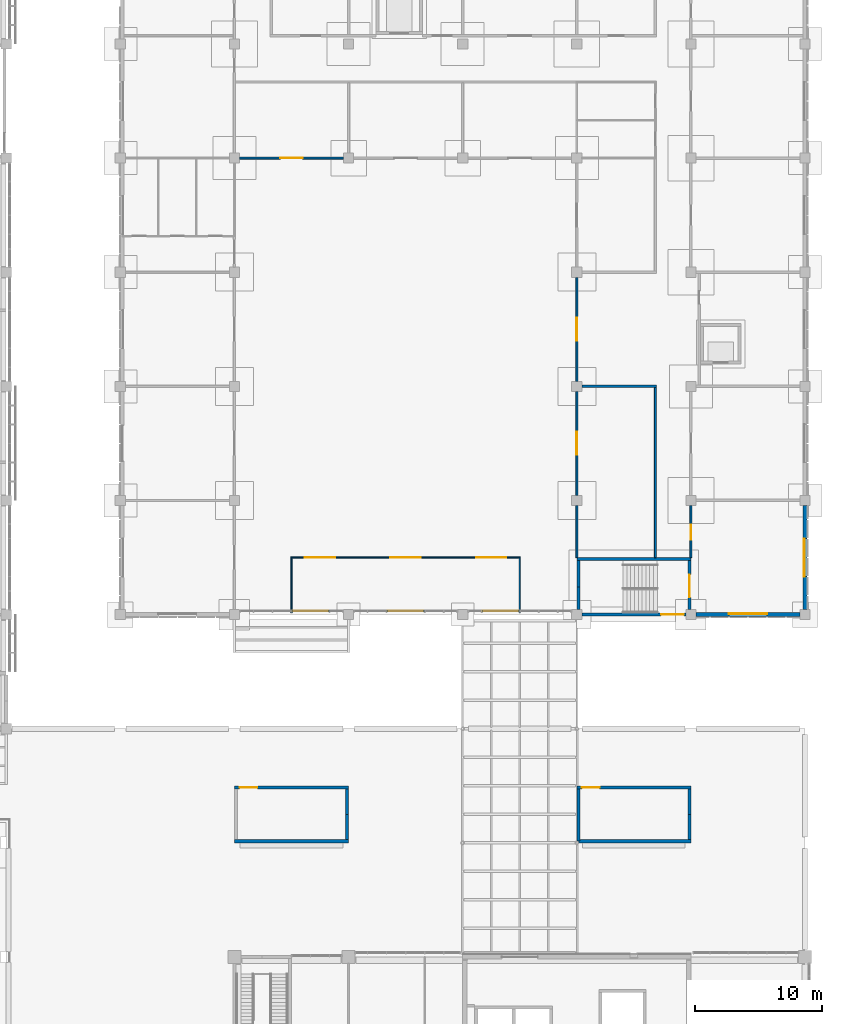
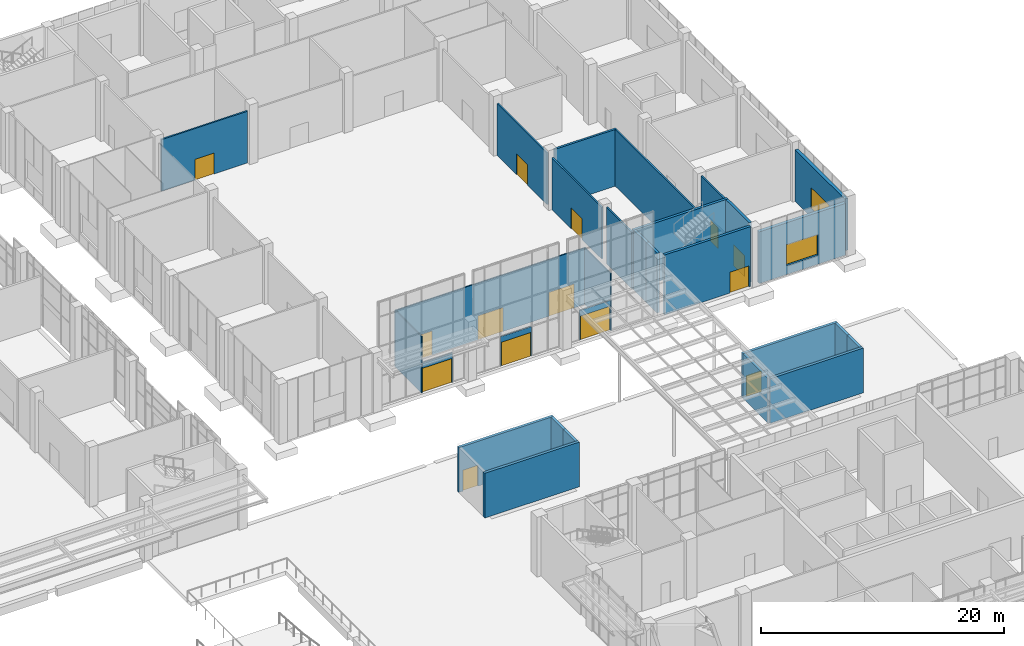
# One storey, part 62 of 86: 29 walls, 14 doors, 2 windows, 16 openings.
"""IFC4 building model written with IfcOpenShell, lengths in metres."""

import ifcopenshell
import ifcopenshell.guid

model = None  # the IFC model being written
_history = None  # IfcOwnerHistory: only IFC2X3 demands one
_inside = {}  # id of a spatial element -> (the spatial element, [elements in it])
_under = {}  # id of a project, library or spatial element -> (it, [spatial elements below it])
_declared = {}  # id of a project -> (the project, [libraries it declares])
_typed = {}  # id of a type object -> (the type object, [elements of that type])
_made_of = {}  # id of a material, layer set ... -> (it, [elements and type objects made of it])


def new_model(schema):
    """Start an empty IFC model of exactly this schema.

    Asked for "IFC4X3", IfcOpenShell would pick the latest addendum, in which some entities
    have other attributes; the version numbers below select the first issue.
    IFC2X3 requires an IfcOwnerHistory on every rooted entity: one is made here for all.
    """
    global model, _history
    if schema == "IFC4X3":
        model = ifcopenshell.file(schema_version=(4, 3, 0, 0))
    else:
        model = ifcopenshell.file(schema=schema)
    _inside.clear()
    _under.clear()
    _declared.clear()
    _typed.clear()
    _made_of.clear()
    _history = None
    if model.schema == "IFC2X3":
        org = make("IfcOrganization", Name="unknown")
        user = make(
            "IfcPersonAndOrganization",
            ThePerson=make("IfcPerson", FamilyName="unknown"),
            TheOrganization=org,
        )
        app = make(
            "IfcApplication",
            ApplicationDeveloper=org,
            Version="unknown",
            ApplicationFullName="unknown",
            ApplicationIdentifier="unknown",
        )
        _history = make(
            "IfcOwnerHistory",
            OwningUser=user,
            OwningApplication=app,
            ChangeAction="ADDED",
            CreationDate=0,
        )
    return model


def make(cls, **values):
    """One entity of the class cls with the attributes given. An attribute that is None is left unset."""
    return model.create_entity(
        cls, **{name: value for name, value in values.items() if value is not None}
    )


def rooted(cls, **values):
    """An entity with a GlobalId (a new one), such as an element, a storey or a relation."""
    return make(cls, GlobalId=ifcopenshell.guid.new(), OwnerHistory=_history, **values)


def si_unit(unit_type, name, prefix=None):
    """IfcSIUnit, for example si_unit("LENGTHUNIT", "METRE", prefix="MILLI")."""
    return make("IfcSIUnit", UnitType=unit_type, Prefix=prefix, Name=name)


def assignment(units):
    """IfcUnitAssignment: the units of a project."""
    return None if units is None else make("IfcUnitAssignment", Units=units)


def point(xyz):
    """IfcCartesianPoint."""
    return None if xyz is None else make("IfcCartesianPoint", Coordinates=xyz)


def direction(xyz):
    """IfcDirection."""
    return None if xyz is None else make("IfcDirection", DirectionRatios=xyz)


def frame(location, z_axis=None, x_axis=None):
    """IfcAxis2Placement3D, a coordinate frame: its origin and axes. An axis left out is left unset."""
    return make(
        "IfcAxis2Placement3D",
        Location=point(location),
        Axis=direction(z_axis),
        RefDirection=direction(x_axis),
    )


def frame_2d(location, x_axis=None):
    """IfcAxis2Placement2D, a coordinate frame in the plane: its origin and x axis."""
    return make(
        "IfcAxis2Placement2D", Location=point(location), RefDirection=direction(x_axis)
    )


def origin():
    """The frame at (0, 0, 0) with its axes left unset."""
    return frame((0.0, 0.0, 0.0))


def place(relative_to, where):
    """IfcLocalPlacement: puts the frame where relative to a parent placement (None: the world)."""
    return make(
        "IfcLocalPlacement", PlacementRelTo=relative_to, RelativePlacement=where
    )


def context(
    kind, dimensions, precision=None, world=None, true_north=None, identifier=None
):
    """IfcGeometricRepresentationContext, for example the 3D "Model" context."""
    return make(
        "IfcGeometricRepresentationContext",
        ContextIdentifier=identifier,
        ContextType=kind,
        CoordinateSpaceDimension=dimensions,
        Precision=precision,
        WorldCoordinateSystem=world,
        TrueNorth=true_north,
    )


def subcontext(parent, identifier, kind, view, scale=None):
    """IfcGeometricRepresentationSubContext, for example "Body" below "Model"."""
    return make(
        "IfcGeometricRepresentationSubContext",
        ContextIdentifier=identifier,
        ContextType=kind,
        ParentContext=parent,
        TargetScale=scale,
        TargetView=view,
    )


def project(units=None, contexts=None):
    """IfcProject with its units and contexts."""
    return rooted(
        "IfcProject",
        Name="project",
        RepresentationContexts=contexts,
        UnitsInContext=assignment(units),
    )


def spatial(cls, under=None, at=None, **own):
    """A site, building, storey or space (cls), placed at a placement, below another one or the project."""
    s = rooted(cls, ObjectPlacement=at, **own)
    if under is not None:
        _under.setdefault(under.id(), (under, []))[1].append(s)
    return s


def profile(cls, at=None, kind="AREA", **sizes):
    """A parametric profile (cls). Its sizes go by their IFC names, for example OverallWidth=200.0."""
    return make(cls, ProfileType=kind, Position=at, **sizes)


def rectangle(**sizes):
    """IfcRectangleProfileDef."""
    return profile("IfcRectangleProfileDef", **sizes)


def extrude(swept, where, along, depth):
    """IfcExtrudedAreaSolid: the profile swept, set in the frame where, extruded along a direction by depth."""
    return make(
        "IfcExtrudedAreaSolid",
        SweptArea=swept,
        Position=where,
        ExtrudedDirection=direction(along),
        Depth=depth,
    )


def shape(context_of_items, identifier, shape_type, items):
    """IfcShapeRepresentation: the items that make up one representation, for example the "Body"."""
    return make(
        "IfcShapeRepresentation",
        ContextOfItems=context_of_items,
        RepresentationIdentifier=identifier,
        RepresentationType=shape_type,
        Items=items,
    )


def material(Name=None, Category=None):
    """IfcMaterial."""
    return make("IfcMaterial", Name=Name, Category=Category)


def layer(
    of_material, thickness, ventilated=None, Name=None, Category=None, Priority=None
):
    """IfcMaterialLayer: one layer of a wall or slab, of a material (None: an air gap)."""
    return make(
        "IfcMaterialLayer",
        Material=of_material,
        LayerThickness=thickness,
        IsVentilated=ventilated,
        Name=Name,
        Category=Category,
        Priority=Priority,
    )


def layer_set(layers, Name=None):
    """IfcMaterialLayerSet."""
    return make("IfcMaterialLayerSet", MaterialLayers=layers, LayerSetName=Name)


def made_of(thing, what):
    """Note that an element or type object is made of a material, layer set ...; save() writes the relation."""
    if what is not None:
        _made_of.setdefault(what.id(), (what, []))[1].append(thing)
    return thing


def type_object(cls, material=None, **own):
    """A type object (cls), such as IfcWallType, which elements share."""
    return made_of(rooted(cls, **own), material)


def element(
    cls,
    number,
    at=None,
    inside=None,
    cuts=None,
    type_object=None,
    material=None,
    context=None,
    identifier="Body",
    shape_type=None,
    held_by="IfcProductDefinitionShape",
    body=None,
    shapes=None,
    **own,
):
    """One element of the class cls, such as IfcWall. Its Tag is "e" and its number.

    at: its placement. inside: the storey or other place that contains it. cuts: it is an
    opening in that element (IfcRelVoidsElement). A single representation is given by context,
    identifier, shape_type and body (its items); several are given by shapes. held_by: the class
    of the entity that holds the representations. save() writes the other relations.
    """
    e = rooted(cls, Tag="e%d" % number, ObjectPlacement=at, **own)
    if body is not None:
        shapes = [shape(context, identifier, shape_type, body)]
    if shapes is not None:
        e.Representation = make(held_by, Representations=shapes)
    if inside is not None:
        _inside.setdefault(inside.id(), (inside, []))[1].append(e)
    if cuts is not None:
        rooted(
            "IfcRelVoidsElement", RelatingBuildingElement=cuts, RelatedOpeningElement=e
        )
    if type_object is not None:
        _typed.setdefault(type_object.id(), (type_object, []))[1].append(e)
    return made_of(e, material)


def fill(opening, filler):
    """IfcRelFillsElement: the door or window that sits in an opening."""
    return rooted(
        "IfcRelFillsElement",
        RelatingOpeningElement=opening,
        RelatedBuildingElement=filler,
    )


def aggregate(whole, parts):
    """IfcRelAggregates: a whole, such as a stair, and the parts it consists of."""
    return rooted("IfcRelAggregates", RelatingObject=whole, RelatedObjects=parts)


def save(model, path):
    """Write the relations noted so far, then the file.

    IfcRelAggregates (storeys below a building ...), IfcRelContainedInSpatialStructure (elements
    in a storey), IfcRelDefinesByType, IfcRelAssociatesMaterial and IfcRelDeclares: one each for
    every whole, place, type object, material and project.
    """
    for whole, parts in _under.values():
        aggregate(whole, parts)
    for where, things in _inside.values():
        rooted(
            "IfcRelContainedInSpatialStructure",
            RelatedElements=things,
            RelatingStructure=where,
        )
    for kind, things in _typed.values():
        rooted("IfcRelDefinesByType", RelatedObjects=things, RelatingType=kind)
    for what, things in _made_of.values():
        rooted("IfcRelAssociatesMaterial", RelatedObjects=things, RelatingMaterial=what)
    for by, libraries in _declared.values():
        rooted("IfcRelDeclares", RelatingContext=by, RelatedDefinitions=libraries)
    model.write(path)


model = new_model("IFC4")

# Units and contexts
model_context = context("Model", 3, precision=1e-05, world=origin(), true_north=direction((0.0, 1.0)))
body_context = subcontext(model_context, "Body", "Model", "MODEL_VIEW")
ifc_project = project(units=[si_unit("LENGTHUNIT", "METRE"), si_unit("AREAUNIT", "SQUARE_METRE"), si_unit("VOLUMEUNIT", "CUBIC_METRE"), si_unit("PLANEANGLEUNIT", "RADIAN"), si_unit("MASSUNIT", "GRAM", prefix="KILO")], contexts=[model_context])

# Site, building, storey
site_placement = place(None, origin())
site = spatial("IfcSite", under=ifc_project, at=site_placement, CompositionType="ELEMENT")
building_placement = place(site_placement, origin())
building = spatial("IfcBuilding", under=site, at=building_placement, Name="Guidao Yard Department Store", CompositionType="ELEMENT")
storey_placement = place(building_placement, origin())
storey = spatial("IfcBuildingStorey", under=building, at=storey_placement, Name="L00", CompositionType="ELEMENT", Elevation=0.0)

# Wall
ifc_material_1 = material(Name="Concrete block MU10", Category="concrete")
ifc_layer_1 = layer(ifc_material_1, 0.199951171875)
ifc_layer_set_1 = layer_set([ifc_layer_1], Name="Fire Wall F3 200 mm blockwork EI 120")
wall_type_1 = type_object("IfcWallType", Name="Fire Wall F3 200 mm blockwork EI 120", PredefinedType="PARTITIONING", material=ifc_layer_set_1)
wall_1_placement = place(storey_placement, frame((153.39990234375, 72.0, 0.0), z_axis=(0.0, 0.0, 1.0), x_axis=(1.0, 0.0, 0.0)))
element("IfcWall", 1, at=wall_1_placement, inside=storey, type_object=wall_type_1, Name="Wall W-L00-3013", PredefinedType="PARTITIONING", context=body_context, shape_type="SweptSolid", body=[
    extrude(rectangle(XDim=5.875, YDim=0.199951171875, at=frame_2d((2.9375, 0.0))), origin(), (0.0, 0.0, 1.0), 5.699951171875),
])

# Wall, opening, window
ifc_material_2 = material(Name="Concrete C30", Category="concrete")
ifc_layer_2 = layer(ifc_material_2, 0.300048828125)
ifc_layer_set_2 = layer_set([ifc_layer_2], Name="Food hall wall 300 C30")
wall_type_2 = type_object("IfcWallType", Name="Food hall wall 300 C30", PredefinedType="SOLIDWALL", material=ifc_layer_set_2)
wall_2_placement = place(storey_placement, frame((170.60009765625, 54.0, 0.0), z_axis=(0.0, 0.0, 1.0), x_axis=(-1.0, 0.0, 0.0)))
wall_2 = element("IfcWall", 2, at=wall_2_placement, inside=storey, type_object=wall_type_2, Name="Food hall wall", PredefinedType="SOLIDWALL", context=body_context, shape_type="SweptSolid", body=[
    extrude(rectangle(XDim=8.2001953125, YDim=0.300048828125, at=frame_2d((4.10009765625, 0.0))), origin(), (0.0, 0.0, 1.0), 5.199951171875),
])
opening_1_placement = place(wall_2_placement, frame((2.60009765625, 0.0, 0.89990234375)))
opening_1 = element("IfcOpeningElement", 3, at=opening_1_placement, cuts=wall_2, Name="Opening WN-L00-E11", PredefinedType="OPENING", context=body_context, shape_type="SweptSolid", body=[
    extrude(rectangle(XDim=3.0, YDim=2.10009765625, at=frame_2d((1.5, 1.050048828125))), frame((0.0, 0.159912109375, 0.0), z_axis=(0.0, -1.0, 0.0), x_axis=(1.0, 0.0, 0.0)), (0.0, 0.0, 1.0), 0.320068359375),
])
ifc_material_3 = material(Name="Laminated glass in aluminium frame", Category="aluminium")
window_type = type_object("IfcWindowType", Name="Punched window PW2 3000 x 2100 fixed", PartitioningType="SINGLE_PANEL", PredefinedType="WINDOW", material=ifc_material_3)
window_1_placement = place(opening_1_placement, origin())
window_1 = element("IfcWindow", 4, at=window_1_placement, inside=storey, type_object=window_type, Name="Punched window", OverallHeight=2.10009765625, OverallWidth=3.0, PartitioningType="SINGLE_PANEL", PredefinedType="WINDOW", context=body_context, shape_type="SweptSolid", body=[
    extrude(rectangle(XDim=3.0, YDim=2.10009765625, at=frame_2d((1.5, 1.050048828125))), frame((0.0, -0.030029296875, 0.0), z_axis=(0.0, -1.0, 0.0), x_axis=(1.0, 0.0, 0.0)), (0.0, 0.0, 1.0), 0.06005859375),
])
fill(opening_1, window_1)

wall_3_placement = place(storey_placement, frame((171.0, 62.60009765625, 0.0), z_axis=(0.0, 0.0, 1.0), x_axis=(0.0, -1.0, 0.0)))
wall_3 = element("IfcWall", 5, at=wall_3_placement, inside=storey, type_object=wall_type_2, Name="Food hall wall", PredefinedType="SOLIDWALL", context=body_context, shape_type="SweptSolid", body=[
    extrude(rectangle(XDim=8.2001953125, YDim=0.300048828125, at=frame_2d((4.10009765625, 0.0))), origin(), (0.0, 0.0, 1.0), 5.199951171875),
])
opening_2_placement = place(wall_3_placement, frame((2.60009765625, 0.0, 0.89990234375)))
opening_2 = element("IfcOpeningElement", 6, at=opening_2_placement, cuts=wall_3, Name="Opening WN-L00-E19", PredefinedType="OPENING", context=body_context, shape_type="SweptSolid", body=[
    extrude(rectangle(XDim=3.0, YDim=2.10009765625, at=frame_2d((1.5, 1.050048828125))), frame((0.0, 0.159912109375, 0.0), z_axis=(0.0, -1.0, 0.0), x_axis=(1.0, 0.0, 0.0)), (0.0, 0.0, 1.0), 0.320068359375),
])
window_2_placement = place(opening_2_placement, origin())
window_2 = element("IfcWindow", 7, at=window_2_placement, inside=storey, type_object=window_type, Name="Punched window", OverallHeight=2.10009765625, OverallWidth=3.0, PartitioningType="SINGLE_PANEL", PredefinedType="WINDOW", context=body_context, shape_type="SweptSolid", body=[
    extrude(rectangle(XDim=3.0, YDim=2.10009765625, at=frame_2d((1.5, 1.050048828125))), frame((0.0, -0.030029296875, 0.0), z_axis=(0.0, -1.0, 0.0), x_axis=(1.0, 0.0, 0.0)), (0.0, 0.0, 1.0), 0.06005859375),
])
fill(opening_2, window_2)

# Walls
ifc_material_4 = material(Name="Toughened glass in Aluminium 6063-T5 frame", Category="aluminium")
ifc_layer_3 = layer(ifc_material_4, 0.10009765625)
ifc_layer_set_3 = layer_set([ifc_layer_3], Name="Glazed Partition F5 100 mm")
wall_type_3 = type_object("IfcWallType", Name="Glazed Partition F5 100 mm", PredefinedType="PARTITIONING", material=ifc_layer_set_3)
for number, where, z_axis, x_axis, name in (
    (8, (130.5, 54.14990234375, 0.0), (0.0, 0.0, 1.0), (0.0, 1.0, 0.0), "Wall W-L00-3001"),
    (9, (148.5, 54.14990234375, 0.0), (0.0, 0.0, 1.0), (0.0, 1.0, 0.0), "Wall W-L00-3002"),
):
    element("IfcWall", number, at=place(storey_placement, frame(where, z_axis=z_axis, x_axis=x_axis)), inside=storey, type_object=wall_type_3, Name=name, PredefinedType="PARTITIONING", context=body_context, shape_type="SweptSolid", body=[
        extrude(rectangle(XDim=4.300048828125, YDim=0.10009765625, at=frame_2d((2.14990234375, 0.0))), origin(), (0.0, 0.0, 1.0), 5.699951171875),
    ])

# Wall, openings, doors
wall_4_placement = place(storey_placement, frame((130.449951171875, 58.5, 0.0), z_axis=(0.0, 0.0, 1.0), x_axis=(1.0, 0.0, 0.0)))
wall_4 = element("IfcWall", 10, at=wall_4_placement, inside=storey, type_object=wall_type_3, Name="Wall W-L00-3004", PredefinedType="PARTITIONING", context=body_context, shape_type="SweptSolid", body=[
    extrude(rectangle(XDim=18.10009765625, YDim=0.10009765625, at=frame_2d((9.050048828125, 0.0))), origin(), (0.0, 0.0, 1.0), 5.699951171875),
])
opening_3_placement = place(wall_4_placement, frame((1.10009765625, 0.0, 0.0)))
opening_3 = element("IfcOpeningElement", 11, at=opening_3_placement, cuts=wall_4, Name="Opening L00-302", PredefinedType="OPENING", context=body_context, shape_type="SweptSolid", body=[
    extrude(rectangle(XDim=2.39990234375, YDim=2.39990234375, at=frame_2d((1.199951171875, 1.199951171875))), frame((0.0, 0.06005859375, 0.0), z_axis=(0.0, -1.0, 0.0), x_axis=(1.0, 0.0, 0.0)), (0.0, 0.0, 1.0), 0.1201171875),
])
opening_4_placement = place(wall_4_placement, frame((7.85009765625, 0.0, 0.0)))
opening_4 = element("IfcOpeningElement", 12, at=opening_4_placement, cuts=wall_4, Name="Opening L00-303", PredefinedType="OPENING", context=body_context, shape_type="SweptSolid", body=[
    extrude(rectangle(XDim=2.39990234375, YDim=2.39990234375, at=frame_2d((1.199951171875, 1.199951171875))), frame((0.0, 0.06005859375, 0.0), z_axis=(0.0, -1.0, 0.0), x_axis=(1.0, 0.0, 0.0)), (0.0, 0.0, 1.0), 0.1201171875),
])
opening_5_placement = place(wall_4_placement, frame((14.60009765625, 0.0, 0.0)))
opening_5 = element("IfcOpeningElement", 13, at=opening_5_placement, cuts=wall_4, Name="Opening L00-304", PredefinedType="OPENING", context=body_context, shape_type="SweptSolid", body=[
    extrude(rectangle(XDim=2.39990234375, YDim=2.39990234375, at=frame_2d((1.199951171875, 1.199951171875))), frame((0.0, 0.06005859375, 0.0), z_axis=(0.0, -1.0, 0.0), x_axis=(1.0, 0.0, 0.0)), (0.0, 0.0, 1.0), 0.1201171875),
])
ifc_material_5 = material(Name="Toughened glass sliding leaves", Category="glass")
door_type_1 = type_object("IfcDoorType", Name="Door FS1 sliding double 2400 x 2400", OperationType="DOUBLE_DOOR_SLIDING", PredefinedType="DOOR", material=ifc_material_5)
door_1_placement = place(opening_3_placement, origin())
door_1 = element("IfcDoor", 14, at=door_1_placement, inside=storey, type_object=door_type_1, Name="Door L00-302", OperationType="SINGLE_SWING_LEFT", OverallHeight=2.39990234375, OverallWidth=2.39990234375, PredefinedType="DOOR", context=body_context, shape_type="SweptSolid", body=[
    extrude(rectangle(XDim=2.39990234375, YDim=2.39990234375, at=frame_2d((1.199951171875, 1.199951171875))), frame((0.0, 0.02490234375, 0.0), z_axis=(0.0, -1.0, 0.0), x_axis=(1.0, 0.0, 0.0)), (0.0, 0.0, 1.0), 0.050048828125),
])
fill(opening_3, door_1)
door_2_placement = place(opening_4_placement, origin())
door_2 = element("IfcDoor", 15, at=door_2_placement, inside=storey, type_object=door_type_1, Name="Door L00-303", OperationType="SINGLE_SWING_LEFT", OverallHeight=2.39990234375, OverallWidth=2.39990234375, PredefinedType="DOOR", context=body_context, shape_type="SweptSolid", body=[
    extrude(rectangle(XDim=2.39990234375, YDim=2.39990234375, at=frame_2d((1.199951171875, 1.199951171875))), frame((0.0, 0.02490234375, 0.0), z_axis=(0.0, -1.0, 0.0), x_axis=(1.0, 0.0, 0.0)), (0.0, 0.0, 1.0), 0.050048828125),
])
fill(opening_4, door_2)
door_3_placement = place(opening_5_placement, origin())
door_3 = element("IfcDoor", 16, at=door_3_placement, inside=storey, type_object=door_type_1, Name="Door L00-304", OperationType="SINGLE_SWING_LEFT", OverallHeight=2.39990234375, OverallWidth=2.39990234375, PredefinedType="DOOR", context=body_context, shape_type="SweptSolid", body=[
    extrude(rectangle(XDim=2.39990234375, YDim=2.39990234375, at=frame_2d((1.199951171875, 1.199951171875))), frame((0.0, 0.02490234375, 0.0), z_axis=(0.0, -1.0, 0.0), x_axis=(1.0, 0.0, 0.0)), (0.0, 0.0, 1.0), 0.050048828125),
])
fill(opening_5, door_3)

# Wall, opening, door
ifc_material_6 = material(Name="Aluminium 6063-T5", Category="aluminium")
ifc_layer_4 = layer(ifc_material_6, 0.1201171875)
ifc_layer_set_4 = layer_set([ifc_layer_4], Name="Glazing frame wall 120")
wall_type_4 = type_object("IfcWallType", Name="Glazing frame wall 120", PredefinedType="STANDARD", material=ifc_layer_set_4)
wall_5_placement = place(storey_placement, frame((133.469970703125, 54.280029296875, 0.0), z_axis=(0.0, 0.0, 1.0), x_axis=(-1.0, 0.0, 0.0)))
wall_5 = element("IfcWall", 17, at=wall_5_placement, inside=storey, type_object=wall_type_4, Name="Frame wall for Main entrance E8", PredefinedType="STANDARD", context=body_context, shape_type="SweptSolid", body=[
    extrude(rectangle(XDim=2.93994140625, YDim=0.1201171875, at=frame_2d((1.469970703125, 0.0))), origin(), (0.0, 0.0, 1.0), 2.969970703125),
])
opening_6_placement = place(wall_5_placement, frame((0.070068359375, 0.0, 0.0)))
opening_6 = element("IfcOpeningElement", 18, at=opening_6_placement, cuts=wall_5, Name="Opening L00-869", PredefinedType="OPENING", context=body_context, shape_type="SweptSolid", body=[
    extrude(rectangle(XDim=2.800048828125, YDim=2.39990234375, at=frame_2d((1.39990234375, 1.199951171875))), frame((0.0, 0.070068359375, 0.0), z_axis=(0.0, -1.0, 0.0), x_axis=(1.0, 0.0, 0.0)), (0.0, 0.0, 1.0), 0.14013671875),
])
ifc_material_7 = material(Name="Toughened glass in Aluminium 6063-T5 frame", Category="aluminium")
door_type_2 = type_object("IfcDoorType", Name="Entrance door ED1 2800 x 2400 glazed double leaf", OperationType="DOUBLE_DOOR_SINGLE_SWING", PredefinedType="DOOR", material=ifc_material_7)
door_4_placement = place(opening_6_placement, origin())
door_4 = element("IfcDoor", 19, at=door_4_placement, inside=storey, type_object=door_type_2, Name="Main entrance E8", OperationType="DOUBLE_DOOR_SINGLE_SWING", OverallHeight=2.39990234375, OverallWidth=2.800048828125, PredefinedType="DOOR", context=body_context, shape_type="SweptSolid", body=[
    extrude(rectangle(XDim=2.800048828125, YDim=2.39990234375, at=frame_2d((1.39990234375, 1.199951171875))), frame((0.0, 0.02490234375, 0.0), z_axis=(0.0, -1.0, 0.0), x_axis=(1.0, 0.0, 0.0)), (0.0, 0.0, 1.0), 0.050048828125),
])
fill(opening_6, door_4)

wall_6_placement = place(storey_placement, frame((140.969970703125, 54.280029296875, 0.0), z_axis=(0.0, 0.0, 1.0), x_axis=(-1.0, 0.0, 0.0)))
wall_6 = element("IfcWall", 20, at=wall_6_placement, inside=storey, type_object=wall_type_4, Name="Frame wall for Main entrance E8", PredefinedType="STANDARD", context=body_context, shape_type="SweptSolid", body=[
    extrude(rectangle(XDim=2.93994140625, YDim=0.1201171875, at=frame_2d((1.469970703125, 0.0))), origin(), (0.0, 0.0, 1.0), 2.969970703125),
])
opening_7_placement = place(wall_6_placement, frame((0.070068359375, 0.0, 0.0)))
opening_7 = element("IfcOpeningElement", 21, at=opening_7_placement, cuts=wall_6, Name="Opening L00-870", PredefinedType="OPENING", context=body_context, shape_type="SweptSolid", body=[
    extrude(rectangle(XDim=2.800048828125, YDim=2.39990234375, at=frame_2d((1.39990234375, 1.199951171875))), frame((0.0, 0.070068359375, 0.0), z_axis=(0.0, -1.0, 0.0), x_axis=(1.0, 0.0, 0.0)), (0.0, 0.0, 1.0), 0.14013671875),
])
door_5_placement = place(opening_7_placement, origin())
door_5 = element("IfcDoor", 22, at=door_5_placement, inside=storey, type_object=door_type_2, Name="Main entrance E8", OperationType="DOUBLE_DOOR_SINGLE_SWING", OverallHeight=2.39990234375, OverallWidth=2.800048828125, PredefinedType="DOOR", context=body_context, shape_type="SweptSolid", body=[
    extrude(rectangle(XDim=2.800048828125, YDim=2.39990234375, at=frame_2d((1.39990234375, 1.199951171875))), frame((0.0, 0.02490234375, 0.0), z_axis=(0.0, -1.0, 0.0), x_axis=(1.0, 0.0, 0.0)), (0.0, 0.0, 1.0), 0.050048828125),
])
fill(opening_7, door_5)

wall_7_placement = place(storey_placement, frame((148.469970703125, 54.280029296875, 0.0), z_axis=(0.0, 0.0, 1.0), x_axis=(-1.0, 0.0, 0.0)))
wall_7 = element("IfcWall", 23, at=wall_7_placement, inside=storey, type_object=wall_type_4, Name="Frame wall for Main entrance E8", PredefinedType="STANDARD", context=body_context, shape_type="SweptSolid", body=[
    extrude(rectangle(XDim=2.93994140625, YDim=0.1201171875, at=frame_2d((1.469970703125, 0.0))), origin(), (0.0, 0.0, 1.0), 2.969970703125),
])
opening_8_placement = place(wall_7_placement, frame((0.070068359375, 0.0, 0.0)))
opening_8 = element("IfcOpeningElement", 24, at=opening_8_placement, cuts=wall_7, Name="Opening L00-871", PredefinedType="OPENING", context=body_context, shape_type="SweptSolid", body=[
    extrude(rectangle(XDim=2.800048828125, YDim=2.39990234375, at=frame_2d((1.39990234375, 1.199951171875))), frame((0.0, 0.070068359375, 0.0), z_axis=(0.0, -1.0, 0.0), x_axis=(1.0, 0.0, 0.0)), (0.0, 0.0, 1.0), 0.14013671875),
])
door_6_placement = place(opening_8_placement, origin())
door_6 = element("IfcDoor", 25, at=door_6_placement, inside=storey, type_object=door_type_2, Name="Main entrance E8", OperationType="DOUBLE_DOOR_SINGLE_SWING", OverallHeight=2.39990234375, OverallWidth=2.800048828125, PredefinedType="DOOR", context=body_context, shape_type="SweptSolid", body=[
    extrude(rectangle(XDim=2.800048828125, YDim=2.39990234375, at=frame_2d((1.39990234375, 1.199951171875))), frame((0.0, 0.02490234375, 0.0), z_axis=(0.0, -1.0, 0.0), x_axis=(1.0, 0.0, 0.0)), (0.0, 0.0, 1.0), 0.050048828125),
])
fill(opening_8, door_6)

# Wall
ifc_material_8 = material(Name="Concrete block MU10", Category="concrete")
ifc_layer_5 = layer(ifc_material_8, 0.14990234375)
ifc_layer_set_5 = layer_set([ifc_layer_5], Name="Stall Front Wall F4 150 mm blockwork EI 60")
wall_type_5 = type_object("IfcWallType", Name="Stall Front Wall F4 150 mm blockwork EI 60", PredefinedType="PARTITIONING", material=ifc_layer_set_5)
wall_8_placement = place(storey_placement, frame((153.0, 58.5, 0.0), z_axis=(0.0, 0.0, 1.0), x_axis=(0.0, 1.0, 0.0)))
element("IfcWall", 26, at=wall_8_placement, inside=storey, type_object=wall_type_5, Name="Wall W-L00-3005", PredefinedType="PARTITIONING", context=body_context, shape_type="SweptSolid", body=[
    extrude(rectangle(XDim=4.10009765625, YDim=0.14990234375, at=frame_2d((2.050048828125, 0.0))), origin(), (0.0, 0.0, 1.0), 5.699951171875),
])

# Wall, opening, door
wall_9_placement = place(storey_placement, frame((153.0, 63.39990234375, 0.0), z_axis=(0.0, 0.0, 1.0), x_axis=(0.0, 1.0, 0.0)))
wall_9 = element("IfcWall", 27, at=wall_9_placement, inside=storey, type_object=wall_type_5, Name="Wall W-L00-3011", PredefinedType="PARTITIONING", context=body_context, shape_type="SweptSolid", body=[
    extrude(rectangle(XDim=8.2001953125, YDim=0.14990234375, at=frame_2d((4.10009765625, 0.0))), origin(), (0.0, 0.0, 1.0), 5.199951171875),
])
opening_9_placement = place(wall_9_placement, frame((5.0, 0.0, 0.0), z_axis=(0.0, 0.0, 1.0), x_axis=(-1.0, 0.0, 0.0)))
opening_9 = element("IfcOpeningElement", 28, at=opening_9_placement, cuts=wall_9, Name="Opening L00-307", PredefinedType="OPENING", context=body_context, shape_type="SweptSolid", body=[
    extrude(rectangle(XDim=1.800048828125, YDim=2.10009765625, at=frame_2d((0.89990234375, 1.050048828125))), frame((0.0, 0.0849609375, 0.0), z_axis=(0.0, -1.0, 0.0), x_axis=(1.0, 0.0, 0.0)), (0.0, 0.0, 1.0), 0.169921875),
])
ifc_material_9 = material(Name="Timber door leaf", Category="wood")
door_type_3 = type_object("IfcDoorType", Name="Door FN2 double 1800 x 2100", OperationType="DOUBLE_DOOR_SINGLE_SWING", PredefinedType="DOOR", material=ifc_material_9)
door_7_placement = place(opening_9_placement, origin())
door_7 = element("IfcDoor", 29, at=door_7_placement, inside=storey, type_object=door_type_3, Name="Door L00-307", OperationType="DOUBLE_DOOR_SINGLE_SWING", OverallHeight=2.10009765625, OverallWidth=1.800048828125, PredefinedType="DOOR", context=body_context, shape_type="SweptSolid", body=[
    extrude(rectangle(XDim=1.800048828125, YDim=2.10009765625, at=frame_2d((0.89990234375, 1.050048828125))), frame((0.0, 0.02490234375, 0.0), z_axis=(0.0, -1.0, 0.0), x_axis=(1.0, 0.0, 0.0)), (0.0, 0.0, 1.0), 0.050048828125),
])
fill(opening_9, door_7)

wall_10_placement = place(storey_placement, frame((153.0, 72.39990234375, 0.0), z_axis=(0.0, 0.0, 1.0), x_axis=(0.0, 1.0, 0.0)))
wall_10 = element("IfcWall", 30, at=wall_10_placement, inside=storey, type_object=wall_type_5, Name="Wall W-L00-3018", PredefinedType="PARTITIONING", context=body_context, shape_type="SweptSolid", body=[
    extrude(rectangle(XDim=8.2001953125, YDim=0.14990234375, at=frame_2d((4.10009765625, 0.0))), origin(), (0.0, 0.0, 1.0), 5.199951171875),
])
opening_10_placement = place(wall_10_placement, frame((5.0, 0.0, 0.0), z_axis=(0.0, 0.0, 1.0), x_axis=(-1.0, 0.0, 0.0)))
opening_10 = element("IfcOpeningElement", 31, at=opening_10_placement, cuts=wall_10, Name="Opening L00-310", PredefinedType="OPENING", context=body_context, shape_type="SweptSolid", body=[
    extrude(rectangle(XDim=1.800048828125, YDim=2.10009765625, at=frame_2d((0.89990234375, 1.050048828125))), frame((0.0, 0.0849609375, 0.0), z_axis=(0.0, -1.0, 0.0), x_axis=(1.0, 0.0, 0.0)), (0.0, 0.0, 1.0), 0.169921875),
])
door_8_placement = place(opening_10_placement, origin())
door_8 = element("IfcDoor", 32, at=door_8_placement, inside=storey, type_object=door_type_3, Name="Door L00-310", OperationType="DOUBLE_DOOR_SINGLE_SWING", OverallHeight=2.10009765625, OverallWidth=1.800048828125, PredefinedType="DOOR", context=body_context, shape_type="SweptSolid", body=[
    extrude(rectangle(XDim=1.800048828125, YDim=2.10009765625, at=frame_2d((0.89990234375, 1.050048828125))), frame((0.0, 0.02490234375, 0.0), z_axis=(0.0, -1.0, 0.0), x_axis=(1.0, 0.0, 0.0)), (0.0, 0.0, 1.0), 0.050048828125),
])
fill(opening_10, door_8)

wall_11_placement = place(storey_placement, frame((126.39990234375, 90.0, 0.0), z_axis=(0.0, 0.0, 1.0), x_axis=(1.0, 0.0, 0.0)))
wall_11 = element("IfcWall", 33, at=wall_11_placement, inside=storey, type_object=wall_type_5, Name="Wall W-L00-3031", PredefinedType="PARTITIONING", context=body_context, shape_type="SweptSolid", body=[
    extrude(rectangle(XDim=8.2001953125, YDim=0.14990234375, at=frame_2d((4.10009765625, 0.0))), origin(), (0.0, 0.0, 1.0), 5.199951171875),
])
opening_11_placement = place(wall_11_placement, frame((3.199951171875, 0.0, 0.0)))
opening_11 = element("IfcOpeningElement", 34, at=opening_11_placement, cuts=wall_11, Name="Opening L00-318", PredefinedType="OPENING", context=body_context, shape_type="SweptSolid", body=[
    extrude(rectangle(XDim=1.800048828125, YDim=2.10009765625, at=frame_2d((0.89990234375, 1.050048828125))), frame((0.0, 0.0849609375, 0.0), z_axis=(0.0, -1.0, 0.0), x_axis=(1.0, 0.0, 0.0)), (0.0, 0.0, 1.0), 0.169921875),
])
door_9_placement = place(opening_11_placement, origin())
door_9 = element("IfcDoor", 35, at=door_9_placement, inside=storey, type_object=door_type_3, Name="Door L00-318", OperationType="DOUBLE_DOOR_SINGLE_SWING", OverallHeight=2.10009765625, OverallWidth=1.800048828125, PredefinedType="DOOR", context=body_context, shape_type="SweptSolid", body=[
    extrude(rectangle(XDim=1.800048828125, YDim=2.10009765625, at=frame_2d((0.89990234375, 1.050048828125))), frame((0.0, 0.02490234375, 0.0), z_axis=(0.0, -1.0, 0.0), x_axis=(1.0, 0.0, 0.0)), (0.0, 0.0, 1.0), 0.050048828125),
])
fill(opening_11, door_9)

# Wall
ifc_material_10 = material(Name="Concrete block MU10", Category="concrete")
ifc_layer_6 = layer(ifc_material_10, 0.14990234375)
ifc_layer_set_6 = layer_set([ifc_layer_6], Name="Wall F2 150 mm blockwork EI 60")
wall_type_6 = type_object("IfcWallType", Name="Wall F2 150 mm blockwork EI 60", PredefinedType="PARTITIONING", material=ifc_layer_set_6)
wall_12_placement = place(storey_placement, frame((159.199951171875, 58.5, 0.0), z_axis=(0.0, 0.0, 1.0), x_axis=(0.0, 1.0, 0.0)))
element("IfcWall", 36, at=wall_12_placement, inside=storey, type_object=wall_type_6, Name="Wall W-L00-3006", PredefinedType="PARTITIONING", context=body_context, shape_type="SweptSolid", body=[
    extrude(rectangle(XDim=13.39990234375, YDim=0.14990234375, at=frame_2d((6.699951171875, 0.0))), origin(), (0.0, 0.0, 1.0), 5.699951171875),
])

# Wall, opening, door
wall_13_placement = place(storey_placement, frame((162.0, 58.5, 0.0), z_axis=(0.0, 0.0, 1.0), x_axis=(0.0, 1.0, 0.0)))
wall_13 = element("IfcWall", 37, at=wall_13_placement, inside=storey, type_object=wall_type_6, Name="Wall W-L00-3007", PredefinedType="PARTITIONING", context=body_context, shape_type="SweptSolid", body=[
    extrude(rectangle(XDim=4.10009765625, YDim=0.14990234375, at=frame_2d((2.050048828125, 0.0))), origin(), (0.0, 0.0, 1.0), 5.699951171875),
])
opening_12_placement = place(wall_13_placement, frame((1.39990234375, 0.0, 0.0)))
opening_12 = element("IfcOpeningElement", 38, at=opening_12_placement, cuts=wall_13, Name="Opening L00-305", PredefinedType="OPENING", context=body_context, shape_type="SweptSolid", body=[
    extrude(rectangle(XDim=1.199951171875, YDim=2.10009765625, at=frame_2d((0.60009765625, 1.050048828125))), frame((0.0, 0.0849609375, 0.0), z_axis=(0.0, -1.0, 0.0), x_axis=(1.0, 0.0, 0.0)), (0.0, 0.0, 1.0), 0.169921875),
])
ifc_material_11 = material(Name="Steel Q235", Category="steel")
door_type_4 = type_object("IfcDoorType", Name="Door FF2 1200 x 2100 FD60", OperationType="SINGLE_SWING_LEFT", PredefinedType="DOOR", material=ifc_material_11)
door_10_placement = place(opening_12_placement, origin())
door_10 = element("IfcDoor", 39, at=door_10_placement, inside=storey, type_object=door_type_4, Name="Door L00-305", OperationType="SINGLE_SWING_LEFT", OverallHeight=2.10009765625, OverallWidth=1.199951171875, PredefinedType="DOOR", context=body_context, shape_type="SweptSolid", body=[
    extrude(rectangle(XDim=1.199951171875, YDim=2.10009765625, at=frame_2d((0.60009765625, 1.050048828125))), frame((0.0, 0.02490234375, 0.0), z_axis=(0.0, -1.0, 0.0), x_axis=(1.0, 0.0, 0.0)), (0.0, 0.0, 1.0), 0.050048828125),
])
fill(opening_12, door_10)

# Wall
ifc_material_12 = material(Name="Concrete C40", Category="concrete")
ifc_layer_7 = layer(ifc_material_12, 0.25)
ifc_layer_set_7 = layer_set([ifc_layer_7], Name="Wall RC 250 C40 stair and shaft")
wall_type_7 = type_object("IfcWallType", Name="Wall RC 250 C40 stair and shaft", PredefinedType="SHEAR", material=ifc_layer_set_7)
wall_14_placement = place(storey_placement, frame((126.0, 36.125, 0.0), z_axis=(0.0, 0.0, 1.0), x_axis=(1.0, 0.0, 0.0)))
element("IfcWall", 40, at=wall_14_placement, inside=storey, type_object=wall_type_7, Name="Stair wall BSY1", PredefinedType="SHEAR", context=body_context, shape_type="SweptSolid", body=[
    extrude(rectangle(XDim=9.0, YDim=0.25, at=frame_2d((4.5, 0.0))), origin(), (0.0, 0.0, 1.0), 4.5),
])

# Wall, opening, door
wall_15_placement = place(storey_placement, frame((126.0, 40.375, 0.0), z_axis=(0.0, 0.0, 1.0), x_axis=(1.0, 0.0, 0.0)))
wall_15 = element("IfcWall", 41, at=wall_15_placement, inside=storey, type_object=wall_type_7, Name="Stair wall BSY1", PredefinedType="SHEAR", context=body_context, shape_type="SweptSolid", body=[
    extrude(rectangle(XDim=9.0, YDim=0.25, at=frame_2d((4.5, 0.0))), origin(), (0.0, 0.0, 1.0), 4.5),
])
opening_13_placement = place(wall_15_placement, frame((0.39990234375, 0.0, 0.0)))
opening_13 = element("IfcOpeningElement", 42, at=opening_13_placement, cuts=wall_15, Name="Opening L00-806", PredefinedType="OPENING", context=body_context, shape_type="SweptSolid", body=[
    extrude(rectangle(XDim=1.39990234375, YDim=2.10009765625, at=frame_2d((0.699951171875, 1.050048828125))), frame((0.0, 0.135009765625, 0.0), z_axis=(0.0, -1.0, 0.0), x_axis=(1.0, 0.0, 0.0)), (0.0, 0.0, 1.0), 0.27001953125),
])
ifc_material_13 = material(Name="Steel Q235", Category="steel")
door_type_5 = type_object("IfcDoorType", Name="Door fire-resisting 1400 x 2100 FD60", OperationType="DOUBLE_DOOR_SINGLE_SWING", PredefinedType="DOOR", material=ifc_material_13)
door_11_placement = place(opening_13_placement, origin())
door_11 = element("IfcDoor", 43, at=door_11_placement, inside=storey, type_object=door_type_5, Name="Basement stair Y1 door L00 discharge", OperationType="DOUBLE_DOOR_SINGLE_SWING", OverallHeight=2.10009765625, OverallWidth=1.39990234375, PredefinedType="DOOR", context=body_context, shape_type="SweptSolid", body=[
    extrude(rectangle(XDim=1.39990234375, YDim=2.10009765625, at=frame_2d((0.699951171875, 1.050048828125))), frame((0.0, 0.02490234375, 0.0), z_axis=(0.0, -1.0, 0.0), x_axis=(1.0, 0.0, 0.0)), (0.0, 0.0, 1.0), 0.050048828125),
])
fill(opening_13, door_11)

# Walls
for number, where, z_axis, x_axis, name in (
    (44, (134.875, 36.25, 0.0), (0.0, 0.0, 1.0), (0.0, 1.0, 0.0), "Stair wall BSY1"),
    (45, (134.875, 38.25, 0.0), (0.0, 0.0, 1.0), (0.0, 1.0, 0.0), "Stair wall BSY1"),
):
    element("IfcWall", number, at=place(storey_placement, frame(where, z_axis=z_axis, x_axis=x_axis)), inside=storey, type_object=wall_type_7, Name=name, PredefinedType="SHEAR", context=body_context, shape_type="SweptSolid", body=[
        extrude(rectangle(XDim=2.0, YDim=0.25, at=frame_2d((1.0, 0.0))), origin(), (0.0, 0.0, 1.0), 4.5),
    ])
wall_16_placement = place(storey_placement, frame((153.136962890625, 36.125, 0.0), z_axis=(0.0, 0.0, 1.0), x_axis=(1.0, 0.0, 0.0)))
element("IfcWall", 46, at=wall_16_placement, inside=storey, type_object=wall_type_7, Name="Stair wall BSY2", PredefinedType="SHEAR", context=body_context, shape_type="SweptSolid", body=[
    extrude(rectangle(XDim=8.863037109375, YDim=0.25, at=frame_2d((4.431640625, 0.0))), origin(), (0.0, 0.0, 1.0), 4.5),
])

# Wall, opening, door
wall_17_placement = place(storey_placement, frame((153.0, 40.375, 0.0), z_axis=(0.0, 0.0, 1.0), x_axis=(1.0, 0.0, 0.0)))
wall_17 = element("IfcWall", 47, at=wall_17_placement, inside=storey, type_object=wall_type_7, Name="Stair wall BSY2", PredefinedType="SHEAR", context=body_context, shape_type="SweptSolid", body=[
    extrude(rectangle(XDim=9.0, YDim=0.25, at=frame_2d((4.5, 0.0))), origin(), (0.0, 0.0, 1.0), 4.5),
])
opening_14_placement = place(wall_17_placement, frame((0.39990234375, 0.0, 0.0)))
opening_14 = element("IfcOpeningElement", 48, at=opening_14_placement, cuts=wall_17, Name="Opening L00-807", PredefinedType="OPENING", context=body_context, shape_type="SweptSolid", body=[
    extrude(rectangle(XDim=1.39990234375, YDim=2.10009765625, at=frame_2d((0.699951171875, 1.050048828125))), frame((0.0, 0.135009765625, 0.0), z_axis=(0.0, -1.0, 0.0), x_axis=(1.0, 0.0, 0.0)), (0.0, 0.0, 1.0), 0.27001953125),
])
door_12_placement = place(opening_14_placement, origin())
door_12 = element("IfcDoor", 49, at=door_12_placement, inside=storey, type_object=door_type_5, Name="Basement stair Y2 door L00 discharge", OperationType="DOUBLE_DOOR_SINGLE_SWING", OverallHeight=2.10009765625, OverallWidth=1.39990234375, PredefinedType="DOOR", context=body_context, shape_type="SweptSolid", body=[
    extrude(rectangle(XDim=1.39990234375, YDim=2.10009765625, at=frame_2d((0.699951171875, 1.050048828125))), frame((0.0, 0.02490234375, 0.0), z_axis=(0.0, -1.0, 0.0), x_axis=(1.0, 0.0, 0.0)), (0.0, 0.0, 1.0), 0.050048828125),
])
fill(opening_14, door_12)

# Walls
wall_18_placement = place(storey_placement, frame((153.125, 36.135986328125, 0.0), z_axis=(0.0, 0.0, 1.0), x_axis=(0.0, 1.0, 0.0)))
element("IfcWall", 50, at=wall_18_placement, inside=storey, type_object=wall_type_7, Name="Stair wall BSY2", PredefinedType="SHEAR", context=body_context, shape_type="SweptSolid", body=[
    extrude(rectangle(XDim=4.114013671875, YDim=0.25, at=frame_2d((2.05712890625, 0.0))), origin(), (0.0, 0.0, 1.0), 4.5),
])
for number, where, z_axis, x_axis, name in (
    (51, (161.875, 36.25, 0.0), (0.0, 0.0, 1.0), (0.0, 1.0, 0.0), "Stair wall BSY2"),
    (52, (161.875, 38.25, 0.0), (0.0, 0.0, 1.0), (0.0, 1.0, 0.0), "Stair wall BSY2"),
):
    element("IfcWall", number, at=place(storey_placement, frame(where, z_axis=z_axis, x_axis=x_axis)), inside=storey, type_object=wall_type_7, Name=name, PredefinedType="SHEAR", context=body_context, shape_type="SweptSolid", body=[
        extrude(rectangle(XDim=2.0, YDim=0.25, at=frame_2d((1.0, 0.0))), origin(), (0.0, 0.0, 1.0), 4.5),
    ])

# Wall, opening, door
wall_19_placement = place(storey_placement, frame((153.39990234375, 54.0, 0.0), z_axis=(0.0, 0.0, 1.0), x_axis=(1.0, 0.0, 0.0)))
wall_19 = element("IfcWall", 53, at=wall_19_placement, inside=storey, type_object=wall_type_7, Name="Stair wall SF1", PredefinedType="SHEAR", context=body_context, shape_type="SweptSolid", body=[
    extrude(rectangle(XDim=8.2001953125, YDim=0.25, at=frame_2d((4.10009765625, 0.0))), origin(), (0.0, 0.0, 1.0), 6.0),
])
opening_15_placement = place(wall_19_placement, frame((8.050048828125, 0.0, 0.0), z_axis=(0.0, 0.0, 1.0), x_axis=(-1.0, 0.0, 0.0)))
opening_15 = element("IfcOpeningElement", 54, at=opening_15_placement, cuts=wall_19, Name="Opening L00-825", PredefinedType="OPENING", context=body_context, shape_type="SweptSolid", body=[
    extrude(rectangle(XDim=1.800048828125, YDim=2.10009765625, at=frame_2d((0.89990234375, 1.050048828125))), frame((0.0, 0.135009765625, 0.0), z_axis=(0.0, -1.0, 0.0), x_axis=(1.0, 0.0, 0.0)), (0.0, 0.0, 1.0), 0.27001953125),
])
ifc_material_14 = material(Name="Steel Q235", Category="steel")
door_type_6 = type_object("IfcDoorType", Name="Door fire-resisting 1800 x 2100 FD60", OperationType="DOUBLE_DOOR_SINGLE_SWING", PredefinedType="DOOR", material=ifc_material_14)
door_13_placement = place(opening_15_placement, origin())
door_13 = element("IfcDoor", 55, at=door_13_placement, inside=storey, type_object=door_type_6, Name="Stair F1 door L00 discharge", OperationType="DOUBLE_DOOR_SINGLE_SWING", OverallHeight=2.10009765625, OverallWidth=1.800048828125, PredefinedType="DOOR", context=body_context, shape_type="SweptSolid", body=[
    extrude(rectangle(XDim=1.800048828125, YDim=2.10009765625, at=frame_2d((0.89990234375, 1.050048828125))), frame((0.0, 0.02490234375, 0.0), z_axis=(0.0, -1.0, 0.0), x_axis=(1.0, 0.0, 0.0)), (0.0, 0.0, 1.0), 0.050048828125),
])
fill(opening_15, door_13)

# Walls
wall_20_placement = place(storey_placement, frame((153.0, 58.375, 0.0), z_axis=(0.0, 0.0, 1.0), x_axis=(1.0, 0.0, 0.0)))
element("IfcWall", 56, at=wall_20_placement, inside=storey, type_object=wall_type_7, Name="Stair wall SF1", PredefinedType="SHEAR", context=body_context, shape_type="SweptSolid", body=[
    extrude(rectangle(XDim=9.0, YDim=0.25, at=frame_2d((4.5, 0.0))), origin(), (0.0, 0.0, 1.0), 6.0),
])
wall_21_placement = place(storey_placement, frame((153.125, 54.39990234375, 0.0), z_axis=(0.0, 0.0, 1.0), x_axis=(0.0, 1.0, 0.0)))
element("IfcWall", 57, at=wall_21_placement, inside=storey, type_object=wall_type_7, Name="Stair wall SF1", PredefinedType="SHEAR", context=body_context, shape_type="SweptSolid", body=[
    extrude(rectangle(XDim=1.7880859375, YDim=0.25, at=frame_2d((0.89404296875, 0.0))), origin(), (0.0, 0.0, 1.0), 6.0),
])
wall_22_placement = place(storey_placement, frame((153.125, 56.18798828125, 0.0), z_axis=(0.0, 0.0, 1.0), x_axis=(0.0, 1.0, 0.0)))
element("IfcWall", 58, at=wall_22_placement, inside=storey, type_object=wall_type_7, Name="Stair wall SF1", PredefinedType="SHEAR", context=body_context, shape_type="SweptSolid", body=[
    extrude(rectangle(XDim=2.06201171875, YDim=0.25, at=frame_2d((1.031005859375, 0.0))), origin(), (0.0, 0.0, 1.0), 6.0),
])

# Wall, opening, door
wall_23_placement = place(storey_placement, frame((161.875, 54.39990234375, 0.0), z_axis=(0.0, 0.0, 1.0), x_axis=(0.0, 1.0, 0.0)))
wall_23 = element("IfcWall", 59, at=wall_23_placement, inside=storey, type_object=wall_type_7, Name="Stair wall SF1", PredefinedType="SHEAR", context=body_context, shape_type="SweptSolid", body=[
    extrude(rectangle(XDim=3.85009765625, YDim=0.25, at=frame_2d((1.925048828125, 0.0))), origin(), (0.0, 0.0, 1.0), 6.0),
])
opening_16_placement = place(wall_23_placement, frame((0.949951171875, 0.0, 0.0)))
opening_16 = element("IfcOpeningElement", 60, at=opening_16_placement, cuts=wall_23, Name="Opening L00-824", PredefinedType="OPENING", context=body_context, shape_type="SweptSolid", body=[
    extrude(rectangle(XDim=1.800048828125, YDim=2.10009765625, at=frame_2d((0.89990234375, 1.050048828125))), frame((0.0, 0.135009765625, 0.0), z_axis=(0.0, -1.0, 0.0), x_axis=(1.0, 0.0, 0.0)), (0.0, 0.0, 1.0), 0.27001953125),
])
door_14_placement = place(opening_16_placement, origin())
door_14 = element("IfcDoor", 61, at=door_14_placement, inside=storey, type_object=door_type_6, Name="Stair F1 door L00", OperationType="DOUBLE_DOOR_SINGLE_SWING", OverallHeight=2.10009765625, OverallWidth=1.800048828125, PredefinedType="DOOR", context=body_context, shape_type="SweptSolid", body=[
    extrude(rectangle(XDim=1.800048828125, YDim=2.10009765625, at=frame_2d((0.89990234375, 1.050048828125))), frame((0.0, 0.02490234375, 0.0), z_axis=(0.0, -1.0, 0.0), x_axis=(1.0, 0.0, 0.0)), (0.0, 0.0, 1.0), 0.050048828125),
])
fill(opening_16, door_14)

save(model, "model.ifc")
